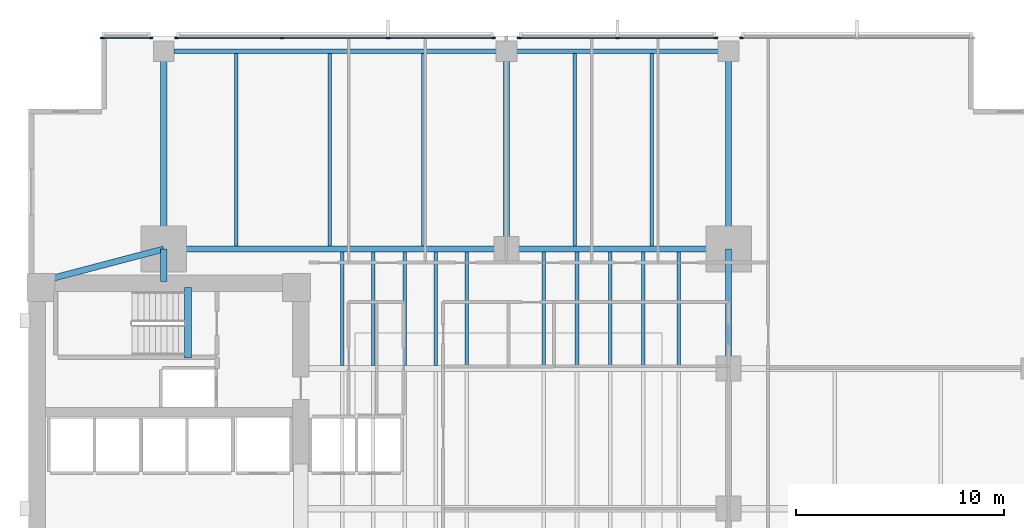
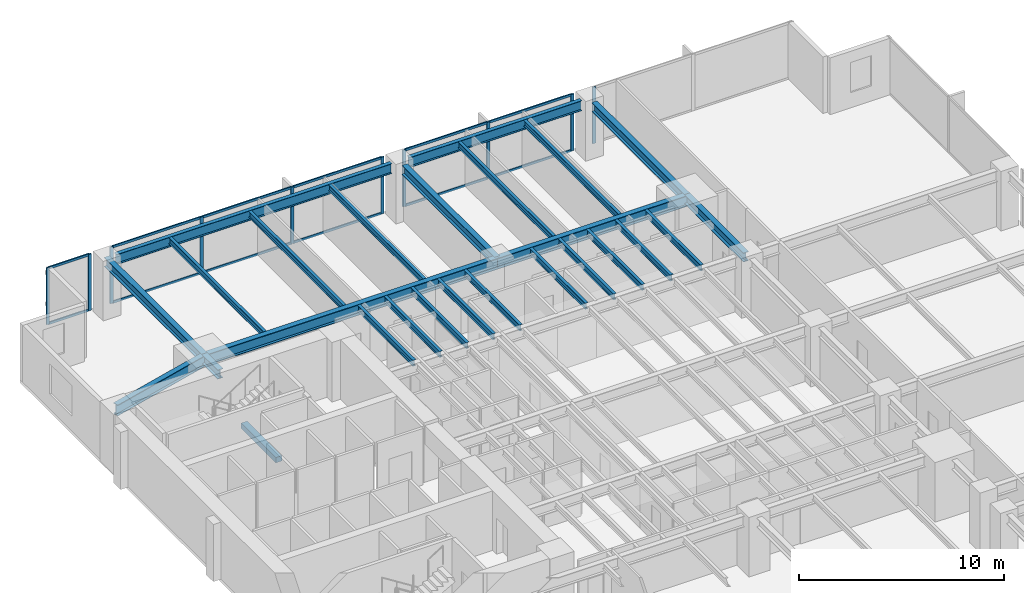
# One storey, part 5 of 15: 26 beams, 22 members, 4 elements without a shape of their own.
"""IFC4 building model written with IfcOpenShell, lengths in metres."""

from ifc_helpers import new_model, si_unit, direction, frame, origin, origin_2d, place, context, subcontext, project, spatial, rectangle, i_section, extrude, material, layer, layer_set, material_profile, profile_set, type_object, element, aggregate, save


model = new_model("IFC4")

# Units and contexts
model_context = context("Model", 3, precision=1e-05, world=origin(), true_north=direction((0.0, 1.0)))
body_context = subcontext(model_context, "Body", "Model", "MODEL_VIEW")
ifc_project = project(units=[si_unit("LENGTHUNIT", "METRE"), si_unit("AREAUNIT", "SQUARE_METRE"), si_unit("VOLUMEUNIT", "CUBIC_METRE"), si_unit("PLANEANGLEUNIT", "RADIAN"), si_unit("MASSUNIT", "GRAM", prefix="KILO")], contexts=[model_context])

# Site, building, storey
site_placement = place(None, origin())
site = spatial("IfcSite", under=ifc_project, at=site_placement, CompositionType="ELEMENT")
building_placement = place(site_placement, origin())
building = spatial("IfcBuilding", under=site, at=building_placement, Name="Kinhvarn Gate Tower", CompositionType="ELEMENT")
storey_placement = place(building_placement, frame((0.0, 0.0, 54.0)))
storey = spatial("IfcBuildingStorey", under=building, at=storey_placement, Name="L13", CompositionType="ELEMENT", Elevation=54.0)

# Beam
ifc_material_1 = material(Name="Concrete C50/60", Category="concrete")
ifc_material_profile_1 = material_profile(ifc_material_1, rectangle(XDim=0.340087890625, YDim=0.320068359375, at=origin_2d()), Name="RC 340x320")
ifc_profile_set_1 = profile_set([ifc_material_profile_1], Name="Concrete C50/60")
beam_type_1 = type_object("IfcBeamType", Name="BM-LND-500", PredefinedType="BEAM", material=ifc_profile_set_1)
beam_1_placement = place(storey_placement, frame((12.1650390625, 32.5, -0.159912109375), z_axis=(0.0, 1.0, 0.0), x_axis=(-1.0, 0.0, 0.0)))
element("IfcBeam", 1, at=beam_1_placement, inside=storey, type_object=beam_type_1, Name="Stair ST2 Landing Nosing Beam (L13)", PredefinedType="BEAM", context=body_context, shape_type="SweptSolid", body=[
    extrude(rectangle(XDim=0.340087890625, YDim=0.320068359375, at=origin_2d()), origin(), (0.0, 0.0, 1.0), 3.39990234375),
])

# Curtain wall, member
ifc_material_2 = material(Name="Anodised aluminium AW-6063", Category="aluminium")
ifc_layer = layer(ifc_material_2, 0.179931640625)
ifc_layer_set = layer_set([ifc_layer], Name="Anodised aluminium AW-6063")
curtain_wall_type = type_object("IfcCurtainWallType", Name="CW-SYS-2", PredefinedType="NOTDEFINED", material=ifc_layer_set)
curtain_wall_1_placement = place(storey_placement, origin())
curtain_wall_1 = element("IfcCurtainWall", 2, at=curtain_wall_1_placement, inside=storey, type_object=curtain_wall_type, Name="Curtain Wall CW2 (L13)", PredefinedType="NOTDEFINED")
ifc_material_profile_2 = material_profile(ifc_material_2, rectangle(XDim=0.070068359375, YDim=0.179931640625, at=origin_2d()), Name="ALU 70x180")
ifc_profile_set_2 = profile_set([ifc_material_profile_2], Name="Anodised aluminium AW-6063")
member_type_1 = type_object("IfcMemberType", Name="CW-MUL-180", PredefinedType="MULLION", material=ifc_profile_set_2)
member_1_placement = place(storey_placement, frame((38.81494140625, 47.909912109375, 0.0), z_axis=(0.0, 0.0, 1.0), x_axis=(0.0, -1.0, 0.0)))
member_1 = element("IfcMember", 3, at=member_1_placement, type_object=member_type_1, Name="CW2 mullion 3", PredefinedType="MULLION", context=body_context, shape_type="SweptSolid", body=[
    extrude(rectangle(XDim=0.070068359375, YDim=0.179931640625, at=origin_2d()), origin(), (0.0, 0.0, 1.0), 3.3701171875),
])
aggregate(curtain_wall_1, [member_1])

# Curtain wall, members
curtain_wall_2_placement = place(storey_placement, origin())
curtain_wall_2 = element("IfcCurtainWall", 4, at=curtain_wall_2_placement, inside=storey, type_object=curtain_wall_type, Name="Curtain Wall CW2 (L13)", PredefinedType="NOTDEFINED")
member_2_placement = place(storey_placement, frame((37.5849609375, 47.909912109375, 0.0), z_axis=(0.0, 0.0, 1.0), x_axis=(0.0, -1.0, 0.0)))
member_2 = element("IfcMember", 5, at=member_2_placement, type_object=member_type_1, Name="CW2 mullion 1", PredefinedType="MULLION", context=body_context, shape_type="SweptSolid", body=[
    extrude(rectangle(XDim=0.070068359375, YDim=0.179931640625, at=origin_2d()), origin(), (0.0, 0.0, 1.0), 3.3701171875),
])
member_3_placement = place(storey_placement, frame((32.85009765625, 47.909912109375, 0.0), z_axis=(0.0, 0.0, 1.0), x_axis=(0.0, -1.0, 0.0)))
member_3 = element("IfcMember", 6, at=member_3_placement, type_object=member_type_1, Name="CW2 mullion 2", PredefinedType="MULLION", context=body_context, shape_type="SweptSolid", body=[
    extrude(rectangle(XDim=0.070068359375, YDim=0.179931640625, at=origin_2d()), origin(), (0.0, 0.0, 1.0), 3.3701171875),
])
member_4_placement = place(storey_placement, frame((28.114990234375, 47.909912109375, 0.0), z_axis=(0.0, 0.0, 1.0), x_axis=(0.0, -1.0, 0.0)))
member_4 = element("IfcMember", 7, at=member_4_placement, type_object=member_type_1, Name="CW2 mullion 3", PredefinedType="MULLION", context=body_context, shape_type="SweptSolid", body=[
    extrude(rectangle(XDim=0.070068359375, YDim=0.179931640625, at=origin_2d()), origin(), (0.0, 0.0, 1.0), 3.3701171875),
])

curtain_wall_3_placement = place(storey_placement, origin())
curtain_wall_3 = element("IfcCurtainWall", 8, at=curtain_wall_3_placement, inside=storey, type_object=curtain_wall_type, Name="Curtain Wall CW2 (L13)", PredefinedType="NOTDEFINED")
member_5_placement = place(storey_placement, frame((26.885009765625, 47.909912109375, 0.0), z_axis=(0.0, 0.0, 1.0), x_axis=(0.0, -1.0, 0.0)))
member_5 = element("IfcMember", 9, at=member_5_placement, type_object=member_type_1, Name="CW2 mullion 1", PredefinedType="MULLION", context=body_context, shape_type="SweptSolid", body=[
    extrude(rectangle(XDim=0.070068359375, YDim=0.179931640625, at=origin_2d()), origin(), (0.0, 0.0, 1.0), 3.3701171875),
])
member_6_placement = place(storey_placement, frame((21.806640625, 47.909912109375, 0.0), z_axis=(0.0, 0.0, 1.0), x_axis=(0.0, -1.0, 0.0)))
member_6 = element("IfcMember", 10, at=member_6_placement, type_object=member_type_1, Name="CW2 mullion 2", PredefinedType="MULLION", context=body_context, shape_type="SweptSolid", body=[
    extrude(rectangle(XDim=0.070068359375, YDim=0.179931640625, at=origin_2d()), origin(), (0.0, 0.0, 1.0), 3.3701171875),
])
member_7_placement = place(storey_placement, frame((16.693359375, 47.909912109375, 0.0), z_axis=(0.0, 0.0, 1.0), x_axis=(0.0, -1.0, 0.0)))
member_7 = element("IfcMember", 11, at=member_7_placement, type_object=member_type_1, Name="CW2 mullion 3", PredefinedType="MULLION", context=body_context, shape_type="SweptSolid", body=[
    extrude(rectangle(XDim=0.070068359375, YDim=0.179931640625, at=origin_2d()), origin(), (0.0, 0.0, 1.0), 3.3701171875),
])
member_8_placement = place(storey_placement, frame((11.614990234375, 47.909912109375, 0.0), z_axis=(0.0, 0.0, 1.0), x_axis=(0.0, -1.0, 0.0)))
member_8 = element("IfcMember", 12, at=member_8_placement, type_object=member_type_1, Name="CW2 mullion 4", PredefinedType="MULLION", context=body_context, shape_type="SweptSolid", body=[
    extrude(rectangle(XDim=0.070068359375, YDim=0.179931640625, at=origin_2d()), origin(), (0.0, 0.0, 1.0), 3.3701171875),
])

curtain_wall_4_placement = place(storey_placement, origin())
curtain_wall_4 = element("IfcCurtainWall", 13, at=curtain_wall_4_placement, inside=storey, type_object=curtain_wall_type, Name="Curtain Wall CW2 (L13)", PredefinedType="NOTDEFINED")
member_9_placement = place(storey_placement, frame((10.385009765625, 47.909912109375, 0.0), z_axis=(0.0, 0.0, 1.0), x_axis=(0.0, -1.0, 0.0)))
member_9 = element("IfcMember", 14, at=member_9_placement, type_object=member_type_1, Name="CW2 mullion 1", PredefinedType="MULLION", context=body_context, shape_type="SweptSolid", body=[
    extrude(rectangle(XDim=0.070068359375, YDim=0.179931640625, at=origin_2d()), origin(), (0.0, 0.0, 1.0), 3.3701171875),
])
member_10_placement = place(storey_placement, frame((8.034912109375, 47.909912109375, 0.0), z_axis=(0.0, 0.0, 1.0), x_axis=(0.0, -1.0, 0.0)))
member_10 = element("IfcMember", 15, at=member_10_placement, type_object=member_type_1, Name="CW2 mullion 2", PredefinedType="MULLION", context=body_context, shape_type="SweptSolid", body=[
    extrude(rectangle(XDim=0.070068359375, YDim=0.179931640625, at=origin_2d()), origin(), (0.0, 0.0, 1.0), 3.3701171875),
])

# Member
ifc_material_profile_3 = material_profile(ifc_material_2, rectangle(XDim=0.070068359375, YDim=0.139892578125, at=origin_2d()), Name="ALU 70x140")
ifc_profile_set_3 = profile_set([ifc_material_profile_3], Name="Anodised aluminium AW-6063")
member_type_2 = type_object("IfcMemberType", Name="CW-TRN-140", PredefinedType="USERDEFINED", material=ifc_profile_set_3)
member_11_placement = place(storey_placement, frame((37.550048828125, 47.909912109375, 0.034912109375), z_axis=(-1.0, 0.0, 0.0), x_axis=(0.0, -1.0, 0.0)))
member_11 = element("IfcMember", 16, at=member_11_placement, type_object=member_type_2, Name="CW2 transom 1.1", ObjectType="TRANSOM", PredefinedType="USERDEFINED", context=body_context, shape_type="SweptSolid", body=[
    extrude(rectangle(XDim=0.070068359375, YDim=0.139892578125, at=origin_2d()), origin(), (0.0, 0.0, 1.0), 4.6650390625),
])

member_12_placement = place(storey_placement, frame((37.550048828125, 47.909912109375, 3.3349609375), z_axis=(-1.0, 0.0, 0.0), x_axis=(0.0, -1.0, 0.0)))
member_12 = element("IfcMember", 17, at=member_12_placement, type_object=member_type_2, Name="CW2 transom 1.2", ObjectType="TRANSOM", PredefinedType="USERDEFINED", context=body_context, shape_type="SweptSolid", body=[
    extrude(rectangle(XDim=0.070068359375, YDim=0.139892578125, at=origin_2d()), origin(), (0.0, 0.0, 1.0), 4.6650390625),
])

member_13_placement = place(storey_placement, frame((32.81494140625, 47.909912109375, 0.034912109375), z_axis=(-1.0, 0.0, 0.0), x_axis=(0.0, -1.0, 0.0)))
member_13 = element("IfcMember", 18, at=member_13_placement, type_object=member_type_2, Name="CW2 transom 2.1", ObjectType="TRANSOM", PredefinedType="USERDEFINED", context=body_context, shape_type="SweptSolid", body=[
    extrude(rectangle(XDim=0.070068359375, YDim=0.139892578125, at=origin_2d()), origin(), (0.0, 0.0, 1.0), 4.6650390625),
])

member_14_placement = place(storey_placement, frame((32.81494140625, 47.909912109375, 3.3349609375), z_axis=(-1.0, 0.0, 0.0), x_axis=(0.0, -1.0, 0.0)))
member_14 = element("IfcMember", 19, at=member_14_placement, type_object=member_type_2, Name="CW2 transom 2.2", ObjectType="TRANSOM", PredefinedType="USERDEFINED", context=body_context, shape_type="SweptSolid", body=[
    extrude(rectangle(XDim=0.070068359375, YDim=0.139892578125, at=origin_2d()), origin(), (0.0, 0.0, 1.0), 4.6650390625),
])

aggregate(curtain_wall_2, [member_2, member_3, member_4, member_11, member_12, member_13, member_14])

member_15_placement = place(storey_placement, frame((26.85009765625, 47.909912109375, 0.034912109375), z_axis=(-1.0, 0.0, 0.0), x_axis=(0.0, -1.0, 0.0)))
member_15 = element("IfcMember", 20, at=member_15_placement, type_object=member_type_2, Name="CW2 transom 1.1", ObjectType="TRANSOM", PredefinedType="USERDEFINED", context=body_context, shape_type="SweptSolid", body=[
    extrude(rectangle(XDim=0.070068359375, YDim=0.139892578125, at=origin_2d()), origin(), (0.0, 0.0, 1.0), 5.008544921875),
])

member_16_placement = place(storey_placement, frame((26.85009765625, 47.909912109375, 3.3349609375), z_axis=(-1.0, 0.0, 0.0), x_axis=(0.0, -1.0, 0.0)))
member_16 = element("IfcMember", 21, at=member_16_placement, type_object=member_type_2, Name="CW2 transom 1.2", ObjectType="TRANSOM", PredefinedType="USERDEFINED", context=body_context, shape_type="SweptSolid", body=[
    extrude(rectangle(XDim=0.070068359375, YDim=0.139892578125, at=origin_2d()), origin(), (0.0, 0.0, 1.0), 5.008544921875),
])

member_17_placement = place(storey_placement, frame((21.771728515625, 47.909912109375, 0.034912109375), z_axis=(-1.0, 0.0, 0.0), x_axis=(0.0, -1.0, 0.0)))
member_17 = element("IfcMember", 22, at=member_17_placement, type_object=member_type_2, Name="CW2 transom 2.1", ObjectType="TRANSOM", PredefinedType="USERDEFINED", context=body_context, shape_type="SweptSolid", body=[
    extrude(rectangle(XDim=0.070068359375, YDim=0.139892578125, at=origin_2d()), origin(), (0.0, 0.0, 1.0), 5.04345703125),
])

member_18_placement = place(storey_placement, frame((21.771728515625, 47.909912109375, 3.3349609375), z_axis=(-1.0, 0.0, 0.0), x_axis=(0.0, -1.0, 0.0)))
member_18 = element("IfcMember", 23, at=member_18_placement, type_object=member_type_2, Name="CW2 transom 2.2", ObjectType="TRANSOM", PredefinedType="USERDEFINED", context=body_context, shape_type="SweptSolid", body=[
    extrude(rectangle(XDim=0.070068359375, YDim=0.139892578125, at=origin_2d()), origin(), (0.0, 0.0, 1.0), 5.04345703125),
])

member_19_placement = place(storey_placement, frame((16.658447265625, 47.909912109375, 0.034912109375), z_axis=(-1.0, 0.0, 0.0), x_axis=(0.0, -1.0, 0.0)))
member_19 = element("IfcMember", 24, at=member_19_placement, type_object=member_type_2, Name="CW2 transom 3.1", ObjectType="TRANSOM", PredefinedType="USERDEFINED", context=body_context, shape_type="SweptSolid", body=[
    extrude(rectangle(XDim=0.070068359375, YDim=0.139892578125, at=origin_2d()), origin(), (0.0, 0.0, 1.0), 5.008544921875),
])

member_20_placement = place(storey_placement, frame((16.658447265625, 47.909912109375, 3.3349609375), z_axis=(-1.0, 0.0, 0.0), x_axis=(0.0, -1.0, 0.0)))
member_20 = element("IfcMember", 25, at=member_20_placement, type_object=member_type_2, Name="CW2 transom 3.2", ObjectType="TRANSOM", PredefinedType="USERDEFINED", context=body_context, shape_type="SweptSolid", body=[
    extrude(rectangle(XDim=0.070068359375, YDim=0.139892578125, at=origin_2d()), origin(), (0.0, 0.0, 1.0), 5.008544921875),
])

aggregate(curtain_wall_3, [member_5, member_6, member_7, member_8, member_15, member_16, member_17, member_18, member_19, member_20])

member_21_placement = place(storey_placement, frame((10.35009765625, 47.909912109375, 0.034912109375), z_axis=(-1.0, 0.0, 0.0), x_axis=(0.0, -1.0, 0.0)))
member_21 = element("IfcMember", 26, at=member_21_placement, type_object=member_type_2, Name="CW2 transom 1.1", ObjectType="TRANSOM", PredefinedType="USERDEFINED", context=body_context, shape_type="SweptSolid", body=[
    extrude(rectangle(XDim=0.070068359375, YDim=0.139892578125, at=origin_2d()), origin(), (0.0, 0.0, 1.0), 2.280029296875),
])

member_22_placement = place(storey_placement, frame((10.35009765625, 47.909912109375, 3.3349609375), z_axis=(-1.0, 0.0, 0.0), x_axis=(0.0, -1.0, 0.0)))
member_22 = element("IfcMember", 27, at=member_22_placement, type_object=member_type_2, Name="CW2 transom 1.2", ObjectType="TRANSOM", PredefinedType="USERDEFINED", context=body_context, shape_type="SweptSolid", body=[
    extrude(rectangle(XDim=0.070068359375, YDim=0.139892578125, at=origin_2d()), origin(), (0.0, 0.0, 1.0), 2.280029296875),
])

aggregate(curtain_wall_4, [member_9, member_10, member_21, member_22])

# Beams
ifc_material_3 = material(Name="Steel S355", Category="steel")
ifc_material_profile_4 = material_profile(ifc_material_3, i_section(OverallWidth=0.300048828125, OverallDepth=0.550048828125, WebThickness=0.014892578125, FlangeThickness=0.029052734375, at=origin_2d()), Name="HEB 550")
ifc_profile_set_4 = profile_set([ifc_material_profile_4], Name="Steel S355")
beam_type_2 = type_object("IfcBeamType", Name="STL-HEB550", PredefinedType="BEAM", material=ifc_profile_set_4)
beam_2_placement = place(storey_placement, frame((11.0, 36.199951171875, 3.094970703125), z_axis=(0.0, 1.0, 0.0), x_axis=(-1.0, 0.0, 0.0)))
element("IfcBeam", 28, at=beam_2_placement, inside=storey, type_object=beam_type_2, Name="Floor Beam PG-15 (L13 MCW-CN)", PredefinedType="BEAM", context=body_context, shape_type="SweptSolid", body=[
    extrude(i_section(OverallWidth=0.300048828125, OverallDepth=0.550048828125, WebThickness=0.014892578125, FlangeThickness=0.029052734375, at=origin_2d()), origin(), (0.0, 0.0, 1.0), 1.550048828125),
])
beam_3_placement = place(storey_placement, frame((11.0, 37.75, 3.094970703125), z_axis=(0.0, 1.0, 0.0), x_axis=(-1.0, 0.0, 0.0)))
element("IfcBeam", 29, at=beam_3_placement, inside=storey, type_object=beam_type_2, Name="Floor Beam PG-15 (L13 MCW-N)", PredefinedType="BEAM", context=body_context, shape_type="SweptSolid", body=[
    extrude(i_section(OverallWidth=0.300048828125, OverallDepth=0.550048828125, WebThickness=0.014892578125, FlangeThickness=0.029052734375, at=origin_2d()), origin(), (0.0, 0.0, 1.0), 9.530029296875),
])
for number, where, z_axis, x_axis, name in (
    (30, (27.5, 37.75, 3.094970703125), (0.0, 1.0, 0.0), (-1.0, 0.0, 0.0), "Floor Beam PG-15 (L13 SP27-N-TIE)"),
    (31, (38.199951171875, 37.75, 3.094970703125), (0.0, 1.0, 0.0), (-1.0, 0.0, 0.0), "Floor Beam PG-15 (L13 MCE-N)"),
):
    element("IfcBeam", number, at=place(storey_placement, frame(where, z_axis=z_axis, x_axis=x_axis)), inside=storey, type_object=beam_type_2, Name=name, PredefinedType="BEAM", context=body_context, shape_type="SweptSolid", body=[
        extrude(i_section(OverallWidth=0.300048828125, OverallDepth=0.550048828125, WebThickness=0.014892578125, FlangeThickness=0.029052734375, at=origin_2d()), origin(), (0.0, 0.0, 1.0), 9.044921875),
    ])
beam_4_placement = place(storey_placement, frame((38.199951171875, 32.0, 3.094970703125), z_axis=(0.0, 1.0, 0.0), x_axis=(-1.0, 0.0, 0.0)))
element("IfcBeam", 32, at=beam_4_placement, inside=storey, type_object=beam_type_2, Name="Floor Beam PG-15 (L13 MG-E-32)", PredefinedType="BEAM", context=body_context, shape_type="SweptSolid", body=[
    extrude(i_section(OverallWidth=0.300048828125, OverallDepth=0.550048828125, WebThickness=0.014892578125, FlangeThickness=0.029052734375, at=origin_2d()), origin(), (0.0, 0.0, 1.0), 5.75),
])
ifc_material_profile_5 = material_profile(ifc_material_3, i_section(OverallWidth=0.300048828125, OverallDepth=0.64990234375, WebThickness=0.01611328125, FlangeThickness=0.031005859375, at=origin_2d()), Name="HEB 650")
ifc_profile_set_5 = profile_set([ifc_material_profile_5], Name="Steel S355")
beam_type_3 = type_object("IfcBeamType", Name="STL-HEB650", PredefinedType="BEAM", material=ifc_profile_set_5)
beam_5_placement = place(storey_placement, frame((11.0, 37.75, 3.044921875), z_axis=(1.0, 0.0, 0.0), x_axis=(0.0, 1.0, 0.0)))
element("IfcBeam", 33, at=beam_5_placement, inside=storey, type_object=beam_type_3, Name="Floor Beam PG-17 (L13 MG-N1)", PredefinedType="BEAM", context=body_context, shape_type="SweptSolid", body=[
    extrude(i_section(OverallWidth=0.300048828125, OverallDepth=0.64990234375, WebThickness=0.01611328125, FlangeThickness=0.031005859375, at=origin_2d()), origin(), (0.0, 0.0, 1.0), 16.5),
])
beam_6_placement = place(storey_placement, frame((27.5, 37.75, 3.044921875), z_axis=(1.0, 0.0, 0.0), x_axis=(0.0, 1.0, 0.0)))
element("IfcBeam", 34, at=beam_6_placement, inside=storey, type_object=beam_type_3, Name="Floor Beam PG-17 (L13 MG-N2)", PredefinedType="BEAM", context=body_context, shape_type="SweptSolid", body=[
    extrude(i_section(OverallWidth=0.300048828125, OverallDepth=0.64990234375, WebThickness=0.01611328125, FlangeThickness=0.031005859375, at=origin_2d()), origin(), (0.0, 0.0, 1.0), 10.699951171875),
])
beam_7_placement = place(storey_placement, frame((5.10009765625, 36.199951171875, 3.044921875), z_axis=(0.967177623957, 0.254101246979, 0.0), x_axis=(-0.254101246979, 0.967177623957, 0.0)))
element("IfcBeam", 35, at=beam_7_placement, inside=storey, type_object=beam_type_3, Name="Floor Beam PG-17 (L13 MG-NW-DIAG)", PredefinedType="BEAM", context=body_context, shape_type="SweptSolid", body=[
    extrude(i_section(OverallWidth=0.300048828125, OverallDepth=0.64990234375, WebThickness=0.01611328125, FlangeThickness=0.031005859375, at=origin_2d()), origin(), (0.0, 0.0, 1.0), 6.10009765625),
])
ifc_material_profile_6 = material_profile(ifc_material_3, i_section(OverallWidth=0.169921875, OverallDepth=0.360107421875, WebThickness=0.008056640625, FlangeThickness=0.0126953125, at=origin_2d()), Name="IPE 360")
ifc_profile_set_6 = profile_set([ifc_material_profile_6], Name="Steel S355")
beam_type_4 = type_object("IfcBeamType", Name="STL-IPE360", PredefinedType="JOIST", material=ifc_profile_set_6)
for number, where, z_axis, x_axis, name in (
    (36, (19.60009765625, 32.14990234375, 3.18994140625), (0.0, 1.0, 0.0), (-1.0, 0.0, 0.0), "Floor Joist SB-04 (L13 JC-X196-3)"),
    (37, (21.10009765625, 32.14990234375, 3.18994140625), (0.0, 1.0, 0.0), (-1.0, 0.0, 0.0), "Floor Joist SB-04 (L13 JC-X211-3)"),
    (38, (22.60009765625, 32.14990234375, 3.18994140625), (0.0, 1.0, 0.0), (-1.0, 0.0, 0.0), "Floor Joist SB-04 (L13 JC-X226-3)"),
    (39, (24.10009765625, 32.14990234375, 3.18994140625), (0.0, 1.0, 0.0), (-1.0, 0.0, 0.0), "Floor Joist SB-04 (L13 JC-X241-3)"),
    (40, (25.60009765625, 32.14990234375, 3.18994140625), (0.0, 1.0, 0.0), (-1.0, 0.0, 0.0), "Floor Joist SB-04 (L13 JC-X256-3)"),
    (41, (29.300048828125, 32.14990234375, 3.18994140625), (0.0, 1.0, 0.0), (-1.0, 0.0, 0.0), "Floor Joist SB-04 (L13 JC-X293-3)"),
    (42, (30.89990234375, 32.14990234375, 3.18994140625), (0.0, 1.0, 0.0), (-1.0, 0.0, 0.0), "Floor Joist SB-04 (L13 JC-X309-3)"),
    (43, (32.5, 32.14990234375, 3.18994140625), (0.0, 1.0, 0.0), (-1.0, 0.0, 0.0), "Floor Joist SB-04 (L13 JC-X325-3)"),
    (44, (34.10009765625, 32.14990234375, 3.18994140625), (0.0, 1.0, 0.0), (-1.0, 0.0, 0.0), "Floor Joist SB-04 (L13 JC-X341-3)"),
    (45, (35.800048828125, 32.14990234375, 3.18994140625), (0.0, 1.0, 0.0), (-1.0, 0.0, 0.0), "Floor Joist SB-04 (L13 JC-X358-3)"),
):
    element("IfcBeam", number, at=place(storey_placement, frame(where, z_axis=z_axis, x_axis=x_axis)), inside=storey, type_object=beam_type_4, Name=name, PredefinedType="JOIST", context=body_context, shape_type="SweptSolid", body=[
        extrude(i_section(OverallWidth=0.169921875, OverallDepth=0.360107421875, WebThickness=0.008056640625, FlangeThickness=0.0126953125, at=origin_2d()), origin(), (0.0, 0.0, 1.0), 5.4501953125),
    ])
for number, where, z_axis, x_axis, name in (
    (46, (14.5, 37.89990234375, 3.18994140625), (0.0, 1.0, 0.0), (-1.0, 0.0, 0.0), "Floor Joist SB-04 (L13 JN-X145)"),
    (47, (19.0, 37.89990234375, 3.18994140625), (0.0, 1.0, 0.0), (-1.0, 0.0, 0.0), "Floor Joist SB-04 (L13 JN-X190)"),
    (48, (23.5, 37.89990234375, 3.18994140625), (0.0, 1.0, 0.0), (-1.0, 0.0, 0.0), "Floor Joist SB-04 (L13 JN-X235)"),
    (49, (30.800048828125, 37.89990234375, 3.18994140625), (0.0, 1.0, 0.0), (-1.0, 0.0, 0.0), "Floor Joist SB-04 (L13 JN-X308)"),
    (50, (34.5, 37.89990234375, 3.18994140625), (0.0, 1.0, 0.0), (-1.0, 0.0, 0.0), "Floor Joist SB-04 (L13 JN-X345)"),
):
    element("IfcBeam", number, at=place(storey_placement, frame(where, z_axis=z_axis, x_axis=x_axis)), inside=storey, type_object=beam_type_4, Name=name, PredefinedType="JOIST", context=body_context, shape_type="SweptSolid", body=[
        extrude(i_section(OverallWidth=0.169921875, OverallDepth=0.360107421875, WebThickness=0.008056640625, FlangeThickness=0.0126953125, at=origin_2d()), origin(), (0.0, 0.0, 1.0), 9.27001953125),
    ])
ifc_material_profile_7 = material_profile(ifc_material_3, i_section(OverallWidth=0.219970703125, OverallDepth=0.60009765625, WebThickness=0.011962890625, FlangeThickness=0.01904296875, at=origin_2d()), Name="IPE 600")
ifc_profile_set_7 = profile_set([ifc_material_profile_7], Name="Steel S355")
beam_type_5 = type_object("IfcBeamType", Name="STL-IPE600", PredefinedType="SPANDREL", material=ifc_profile_set_7)
beam_8_placement = place(storey_placement, frame((11.485107421875, 47.280029296875, 3.070068359375), z_axis=(1.0, 0.0, 0.0), x_axis=(0.0, 1.0, 0.0)))
element("IfcBeam", 51, at=beam_8_placement, inside=storey, type_object=beam_type_5, Name="Floor Spandrel SB-09 (L13 SP-N1)", PredefinedType="SPANDREL", context=body_context, shape_type="SweptSolid", body=[
    extrude(i_section(OverallWidth=0.219970703125, OverallDepth=0.60009765625, WebThickness=0.011962890625, FlangeThickness=0.01904296875, at=origin_2d()), origin(), (0.0, 0.0, 1.0), 15.52978515625),
])
beam_9_placement = place(storey_placement, frame((27.985107421875, 47.280029296875, 3.070068359375), z_axis=(1.0, 0.0, 0.0), x_axis=(0.0, 1.0, 0.0)))
element("IfcBeam", 52, at=beam_9_placement, inside=storey, type_object=beam_type_5, Name="Floor Spandrel SB-09 (L13 SP-N2)", PredefinedType="SPANDREL", context=body_context, shape_type="SweptSolid", body=[
    extrude(i_section(OverallWidth=0.219970703125, OverallDepth=0.60009765625, WebThickness=0.011962890625, FlangeThickness=0.01904296875, at=origin_2d()), origin(), (0.0, 0.0, 1.0), 9.72998046875),
])

save(model, "model.ifc")
